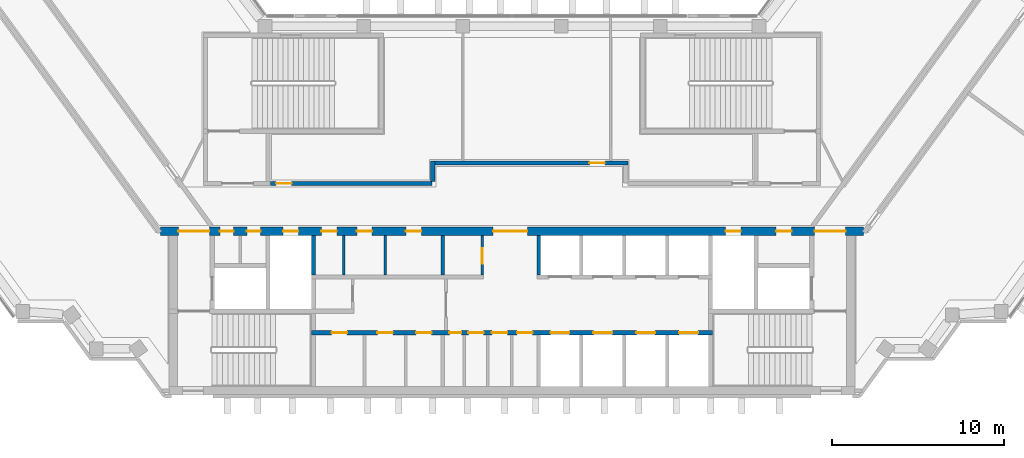
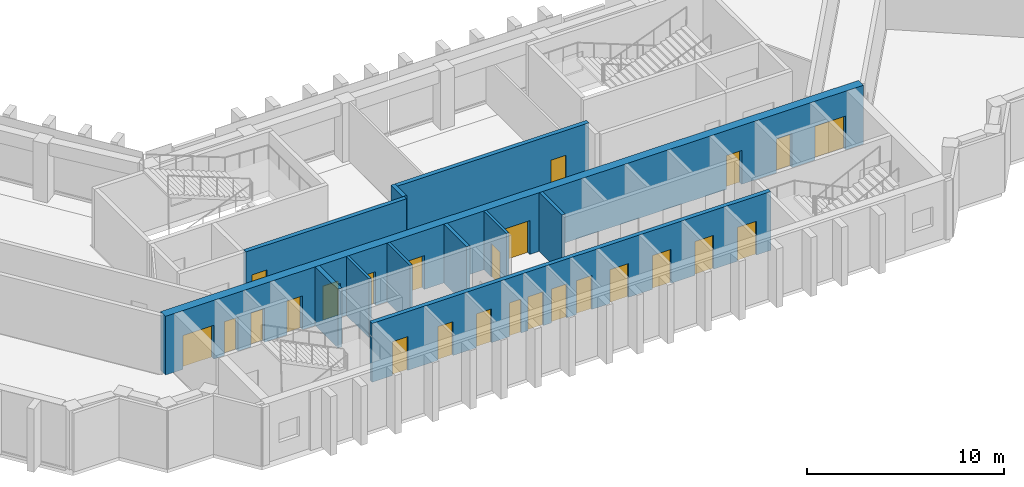
# One storey, part 5 of 9: 25 doors, 11 walls, 25 openings.
"""IFC4 building model written with IfcOpenShell, lengths in metres."""

from ifc_helpers import new_model, si_unit, direction, frame, frame_2d, origin, place, context, subcontext, project, spatial, rectangle, extrude, material, layer, layer_set, type_object, element, fill, save


model = new_model("IFC4")

# Units and contexts
model_context = context("Model", 3, precision=1e-05, world=origin(), true_north=direction((0.0, 1.0)))
body_context = subcontext(model_context, "Body", "Model", "MODEL_VIEW")
ifc_project = project(units=[si_unit("LENGTHUNIT", "METRE"), si_unit("AREAUNIT", "SQUARE_METRE"), si_unit("VOLUMEUNIT", "CUBIC_METRE"), si_unit("PLANEANGLEUNIT", "RADIAN"), si_unit("MASSUNIT", "GRAM", prefix="KILO")], contexts=[model_context])

# Site, building, storey
site_placement = place(None, origin())
site = spatial("IfcSite", under=ifc_project, at=site_placement, CompositionType="ELEMENT")
building_placement = place(site_placement, origin())
building = spatial("IfcBuilding", under=site, at=building_placement, Name="Quipu Civic Tower", CompositionType="ELEMENT")
storey_placement = place(building_placement, frame((0.0, 0.0, 214.0)))
storey = spatial("IfcBuildingStorey", under=building, at=storey_placement, Name="L50", CompositionType="ELEMENT", Elevation=214.0)

# Wall, openings, doors
ifc_material_1 = material(Name="Concrete C70/85", Category="concrete")
ifc_layer_1 = layer(ifc_material_1, 0.25)
ifc_layer_set_1 = layer_set([ifc_layer_1], Name="Concrete C70/85")
wall_type_1 = type_object("IfcWallType", Name="Core wall 250", PredefinedType="SHEAR", material=ifc_layer_set_1)
wall_1_placement = place(storey_placement, frame((11.699951171875, -7.375, 0.0), z_axis=(0.0, 0.0, 1.0), x_axis=(-1.0, 0.0, 0.0)))
wall_1 = element("IfcWall", 1, at=wall_1_placement, inside=storey, type_object=wall_type_1, Name="Core wall", PredefinedType="SHEAR", context=body_context, shape_type="SweptSolid", body=[
    extrude(rectangle(XDim=23.39990234375, YDim=0.25, at=frame_2d((11.699951171875, 0.0))), origin(), (0.0, 0.0, 1.0), 3.64990234375),
])
opening_1_placement = place(wall_1_placement, frame((21.31201171875, 0.0, 0.0)))
opening_1 = element("IfcOpeningElement", 2, at=opening_1_placement, cuts=wall_1, Name="Opening CD-01", PredefinedType="OPENING", context=body_context, shape_type="SweptSolid", body=[
    extrude(rectangle(XDim=0.89990234375, YDim=2.10009765625, at=frame_2d((0.449951171875, 1.050048828125))), frame((0.0, 0.135009765625, 0.0), z_axis=(0.0, -1.0, 0.0), x_axis=(1.0, 0.0, 0.0)), (0.0, 0.0, 1.0), 0.27001953125),
])
opening_2_placement = place(wall_1_placement, frame((18.64990234375, 0.0, 0.0)))
opening_2 = element("IfcOpeningElement", 3, at=opening_2_placement, cuts=wall_1, Name="Opening CD-02", PredefinedType="OPENING", context=body_context, shape_type="SweptSolid", body=[
    extrude(rectangle(XDim=0.89990234375, YDim=2.10009765625, at=frame_2d((0.449951171875, 1.050048828125))), frame((0.0, 0.135009765625, 0.0), z_axis=(0.0, -1.0, 0.0), x_axis=(1.0, 0.0, 0.0)), (0.0, 0.0, 1.0), 0.27001953125),
])
opening_3_placement = place(wall_1_placement, frame((16.387939453125, 0.0, 0.0)))
opening_3 = element("IfcOpeningElement", 4, at=opening_3_placement, cuts=wall_1, Name="Opening CD-03", PredefinedType="OPENING", context=body_context, shape_type="SweptSolid", body=[
    extrude(rectangle(XDim=0.89990234375, YDim=2.10009765625, at=frame_2d((0.449951171875, 1.050048828125))), frame((0.0, 0.135009765625, 0.0), z_axis=(0.0, -1.0, 0.0), x_axis=(1.0, 0.0, 0.0)), (0.0, 0.0, 1.0), 0.27001953125),
])
opening_4_placement = place(wall_1_placement, frame((14.64990234375, 0.0, 0.0)))
opening_4 = element("IfcOpeningElement", 5, at=opening_4_placement, cuts=wall_1, Name="Opening CD-04", PredefinedType="OPENING", context=body_context, shape_type="SweptSolid", body=[
    extrude(rectangle(XDim=0.699951171875, YDim=2.10009765625, at=frame_2d((0.35009765625, 1.050048828125))), frame((0.0, 0.135009765625, 0.0), z_axis=(0.0, -1.0, 0.0), x_axis=(1.0, 0.0, 0.0)), (0.0, 0.0, 1.0), 0.27001953125),
])
opening_5_placement = place(wall_1_placement, frame((13.35009765625, 0.0, 0.0)))
opening_5 = element("IfcOpeningElement", 6, at=opening_5_placement, cuts=wall_1, Name="Opening CD-05", PredefinedType="OPENING", context=body_context, shape_type="SweptSolid", body=[
    extrude(rectangle(XDim=0.89990234375, YDim=2.10009765625, at=frame_2d((0.449951171875, 1.050048828125))), frame((0.0, 0.135009765625, 0.0), z_axis=(0.0, -1.0, 0.0), x_axis=(1.0, 0.0, 0.0)), (0.0, 0.0, 1.0), 0.27001953125),
])
opening_6_placement = place(wall_1_placement, frame((11.97509765625, 0.0, 0.0)))
opening_6 = element("IfcOpeningElement", 7, at=opening_6_placement, cuts=wall_1, Name="Opening CD-06", PredefinedType="OPENING", context=body_context, shape_type="SweptSolid", body=[
    extrude(rectangle(XDim=0.89990234375, YDim=2.10009765625, at=frame_2d((0.449951171875, 1.050048828125))), frame((0.0, 0.135009765625, 0.0), z_axis=(0.0, -1.0, 0.0), x_axis=(1.0, 0.0, 0.0)), (0.0, 0.0, 1.0), 0.27001953125),
])
opening_7_placement = place(wall_1_placement, frame((10.5, 0.0, 0.0)))
opening_7 = element("IfcOpeningElement", 8, at=opening_7_placement, cuts=wall_1, Name="Opening CD-07", PredefinedType="OPENING", context=body_context, shape_type="SweptSolid", body=[
    extrude(rectangle(XDim=0.89990234375, YDim=2.10009765625, at=frame_2d((0.449951171875, 1.050048828125))), frame((0.0, 0.135009765625, 0.0), z_axis=(0.0, -1.0, 0.0), x_axis=(1.0, 0.0, 0.0)), (0.0, 0.0, 1.0), 0.27001953125),
])
opening_8_placement = place(wall_1_placement, frame((8.35009765625, 0.0, 0.0)))
opening_8 = element("IfcOpeningElement", 9, at=opening_8_placement, cuts=wall_1, Name="Opening LD-ML1", PredefinedType="OPENING", context=body_context, shape_type="SweptSolid", body=[
    extrude(rectangle(XDim=1.10009765625, YDim=2.10009765625, at=frame_2d((0.550048828125, 1.050048828125))), frame((0.0, 0.135009765625, 0.0), z_axis=(0.0, -1.0, 0.0), x_axis=(1.0, 0.0, 0.0)), (0.0, 0.0, 1.0), 0.27001953125),
])
opening_9_placement = place(wall_1_placement, frame((5.85009765625, 0.0, 0.0)))
opening_9 = element("IfcOpeningElement", 10, at=opening_9_placement, cuts=wall_1, Name="Opening LD-ML2", PredefinedType="OPENING", context=body_context, shape_type="SweptSolid", body=[
    extrude(rectangle(XDim=1.10009765625, YDim=2.10009765625, at=frame_2d((0.550048828125, 1.050048828125))), frame((0.0, 0.135009765625, 0.0), z_axis=(0.0, -1.0, 0.0), x_axis=(1.0, 0.0, 0.0)), (0.0, 0.0, 1.0), 0.27001953125),
])
opening_10_placement = place(wall_1_placement, frame((3.35009765625, 0.0, 0.0)))
opening_10 = element("IfcOpeningElement", 11, at=opening_10_placement, cuts=wall_1, Name="Opening LD-ML3", PredefinedType="OPENING", context=body_context, shape_type="SweptSolid", body=[
    extrude(rectangle(XDim=1.10009765625, YDim=2.10009765625, at=frame_2d((0.550048828125, 1.050048828125))), frame((0.0, 0.135009765625, 0.0), z_axis=(0.0, -1.0, 0.0), x_axis=(1.0, 0.0, 0.0)), (0.0, 0.0, 1.0), 0.27001953125),
])
opening_11_placement = place(wall_1_placement, frame((0.85009765625, 0.0, 0.0)))
opening_11 = element("IfcOpeningElement", 12, at=opening_11_placement, cuts=wall_1, Name="Opening LD-ML4", PredefinedType="OPENING", context=body_context, shape_type="SweptSolid", body=[
    extrude(rectangle(XDim=1.10009765625, YDim=2.10009765625, at=frame_2d((0.550048828125, 1.050048828125))), frame((0.0, 0.135009765625, 0.0), z_axis=(0.0, -1.0, 0.0), x_axis=(1.0, 0.0, 0.0)), (0.0, 0.0, 1.0), 0.27001953125),
])
ifc_material_2 = material(Name="Fire rated steel door", Category="steel")
door_type_1 = type_object("IfcDoorType", Name="Fire door FD60 700 x 2100", OperationType="NOTDEFINED", PredefinedType="DOOR", material=ifc_material_2)
door_1_placement = place(opening_4_placement, origin())
door_1 = element("IfcDoor", 13, at=door_1_placement, inside=storey, type_object=door_type_1, Name="Door", OperationType="SINGLE_SWING_RIGHT", OverallHeight=2.10009765625, OverallWidth=0.699951171875, PredefinedType="DOOR", context=body_context, shape_type="SweptSolid", body=[
    extrude(rectangle(XDim=0.699951171875, YDim=2.10009765625, at=frame_2d((0.35009765625, 1.050048828125))), frame((0.0, 0.02490234375, 0.0), z_axis=(0.0, -1.0, 0.0), x_axis=(1.0, 0.0, 0.0)), (0.0, 0.0, 1.0), 0.050048828125),
])
fill(opening_4, door_1)
ifc_material_3 = material(Name="Fire rated steel door", Category="steel")
door_type_2 = type_object("IfcDoorType", Name="Fire door FD60 900 x 2100", OperationType="NOTDEFINED", PredefinedType="DOOR", material=ifc_material_3)
door_2_placement = place(opening_1_placement, origin())
door_2 = element("IfcDoor", 14, at=door_2_placement, inside=storey, type_object=door_type_2, Name="Door", OperationType="SINGLE_SWING_RIGHT", OverallHeight=2.10009765625, OverallWidth=0.89990234375, PredefinedType="DOOR", context=body_context, shape_type="SweptSolid", body=[
    extrude(rectangle(XDim=0.89990234375, YDim=2.10009765625, at=frame_2d((0.449951171875, 1.050048828125))), frame((0.0, 0.02490234375, 0.0), z_axis=(0.0, -1.0, 0.0), x_axis=(1.0, 0.0, 0.0)), (0.0, 0.0, 1.0), 0.050048828125),
])
fill(opening_1, door_2)
door_3_placement = place(opening_2_placement, origin())
door_3 = element("IfcDoor", 15, at=door_3_placement, inside=storey, type_object=door_type_2, Name="Door", OperationType="SINGLE_SWING_RIGHT", OverallHeight=2.10009765625, OverallWidth=0.89990234375, PredefinedType="DOOR", context=body_context, shape_type="SweptSolid", body=[
    extrude(rectangle(XDim=0.89990234375, YDim=2.10009765625, at=frame_2d((0.449951171875, 1.050048828125))), frame((0.0, 0.02490234375, 0.0), z_axis=(0.0, -1.0, 0.0), x_axis=(1.0, 0.0, 0.0)), (0.0, 0.0, 1.0), 0.050048828125),
])
fill(opening_2, door_3)
door_4_placement = place(opening_3_placement, origin())
door_4 = element("IfcDoor", 16, at=door_4_placement, inside=storey, type_object=door_type_2, Name="Door", OperationType="SINGLE_SWING_RIGHT", OverallHeight=2.10009765625, OverallWidth=0.89990234375, PredefinedType="DOOR", context=body_context, shape_type="SweptSolid", body=[
    extrude(rectangle(XDim=0.89990234375, YDim=2.10009765625, at=frame_2d((0.449951171875, 1.050048828125))), frame((0.0, 0.02490234375, 0.0), z_axis=(0.0, -1.0, 0.0), x_axis=(1.0, 0.0, 0.0)), (0.0, 0.0, 1.0), 0.050048828125),
])
fill(opening_3, door_4)
door_5_placement = place(opening_5_placement, origin())
door_5 = element("IfcDoor", 17, at=door_5_placement, inside=storey, type_object=door_type_2, Name="WC door", OperationType="SINGLE_SWING_RIGHT", OverallHeight=2.10009765625, OverallWidth=0.89990234375, PredefinedType="DOOR", context=body_context, shape_type="SweptSolid", body=[
    extrude(rectangle(XDim=0.89990234375, YDim=2.10009765625, at=frame_2d((0.449951171875, 1.050048828125))), frame((0.0, 0.02490234375, 0.0), z_axis=(0.0, -1.0, 0.0), x_axis=(1.0, 0.0, 0.0)), (0.0, 0.0, 1.0), 0.050048828125),
])
fill(opening_5, door_5)
door_6_placement = place(opening_6_placement, origin())
door_6 = element("IfcDoor", 18, at=door_6_placement, inside=storey, type_object=door_type_2, Name="WC door", OperationType="SINGLE_SWING_RIGHT", OverallHeight=2.10009765625, OverallWidth=0.89990234375, PredefinedType="DOOR", context=body_context, shape_type="SweptSolid", body=[
    extrude(rectangle(XDim=0.89990234375, YDim=2.10009765625, at=frame_2d((0.449951171875, 1.050048828125))), frame((0.0, 0.02490234375, 0.0), z_axis=(0.0, -1.0, 0.0), x_axis=(1.0, 0.0, 0.0)), (0.0, 0.0, 1.0), 0.050048828125),
])
fill(opening_6, door_6)
door_7_placement = place(opening_7_placement, origin())
door_7 = element("IfcDoor", 19, at=door_7_placement, inside=storey, type_object=door_type_2, Name="WC door", OperationType="SINGLE_SWING_LEFT", OverallHeight=2.10009765625, OverallWidth=0.89990234375, PredefinedType="DOOR", context=body_context, shape_type="SweptSolid", body=[
    extrude(rectangle(XDim=0.89990234375, YDim=2.10009765625, at=frame_2d((0.449951171875, 1.050048828125))), frame((0.0, 0.02490234375, 0.0), z_axis=(0.0, -1.0, 0.0), x_axis=(1.0, 0.0, 0.0)), (0.0, 0.0, 1.0), 0.050048828125),
])
fill(opening_7, door_7)
ifc_material_4 = material(Name="Stainless steel", Category="steel")
door_type_3 = type_object("IfcDoorType", Name="Lift landing door 1100 x 2100", OperationType="DOUBLE_DOOR_SLIDING", PredefinedType="DOOR", material=ifc_material_4)
door_8_placement = place(opening_8_placement, origin())
door_8 = element("IfcDoor", 20, at=door_8_placement, inside=storey, type_object=door_type_3, Name="Landing door ML1", OperationType="DOUBLE_DOOR_SLIDING", OverallHeight=2.10009765625, OverallWidth=1.10009765625, PredefinedType="DOOR", context=body_context, shape_type="SweptSolid", body=[
    extrude(rectangle(XDim=1.10009765625, YDim=2.10009765625, at=frame_2d((0.550048828125, 1.050048828125))), frame((0.0, 0.02490234375, 0.0), z_axis=(0.0, -1.0, 0.0), x_axis=(1.0, 0.0, 0.0)), (0.0, 0.0, 1.0), 0.050048828125),
])
fill(opening_8, door_8)
door_9_placement = place(opening_9_placement, origin())
door_9 = element("IfcDoor", 21, at=door_9_placement, inside=storey, type_object=door_type_3, Name="Landing door ML2", OperationType="DOUBLE_DOOR_SLIDING", OverallHeight=2.10009765625, OverallWidth=1.10009765625, PredefinedType="DOOR", context=body_context, shape_type="SweptSolid", body=[
    extrude(rectangle(XDim=1.10009765625, YDim=2.10009765625, at=frame_2d((0.550048828125, 1.050048828125))), frame((0.0, 0.02490234375, 0.0), z_axis=(0.0, -1.0, 0.0), x_axis=(1.0, 0.0, 0.0)), (0.0, 0.0, 1.0), 0.050048828125),
])
fill(opening_9, door_9)
door_10_placement = place(opening_10_placement, origin())
door_10 = element("IfcDoor", 22, at=door_10_placement, inside=storey, type_object=door_type_3, Name="Landing door ML3", OperationType="DOUBLE_DOOR_SLIDING", OverallHeight=2.10009765625, OverallWidth=1.10009765625, PredefinedType="DOOR", context=body_context, shape_type="SweptSolid", body=[
    extrude(rectangle(XDim=1.10009765625, YDim=2.10009765625, at=frame_2d((0.550048828125, 1.050048828125))), frame((0.0, 0.02490234375, 0.0), z_axis=(0.0, -1.0, 0.0), x_axis=(1.0, 0.0, 0.0)), (0.0, 0.0, 1.0), 0.050048828125),
])
fill(opening_10, door_10)
door_11_placement = place(opening_11_placement, origin())
door_11 = element("IfcDoor", 23, at=door_11_placement, inside=storey, type_object=door_type_3, Name="Landing door ML4", OperationType="DOUBLE_DOOR_SLIDING", OverallHeight=2.10009765625, OverallWidth=1.10009765625, PredefinedType="DOOR", context=body_context, shape_type="SweptSolid", body=[
    extrude(rectangle(XDim=1.10009765625, YDim=2.10009765625, at=frame_2d((0.550048828125, 1.050048828125))), frame((0.0, 0.02490234375, 0.0), z_axis=(0.0, -1.0, 0.0), x_axis=(1.0, 0.0, 0.0)), (0.0, 0.0, 1.0), 0.050048828125),
])
fill(opening_11, door_11)

# Wall
wall_2_placement = place(storey_placement, frame((-11.574951171875, -4.0, 0.0), z_axis=(0.0, 0.0, 1.0), x_axis=(0.0, 1.0, 0.0)))
element("IfcWall", 24, at=wall_2_placement, inside=storey, type_object=wall_type_1, Name="Core wall", PredefinedType="SHEAR", context=body_context, shape_type="SweptSolid", body=[
    extrude(rectangle(XDim=2.300048828125, YDim=0.25, at=frame_2d((1.14990234375, 0.0))), origin(), (0.0, 0.0, 1.0), 3.64990234375),
])

# Wall, openings, doors
ifc_material_5 = material(Name="Concrete C70/85", Category="concrete")
ifc_layer_2 = layer(ifc_material_5, 0.5)
ifc_layer_set_2 = layer_set([ifc_layer_2], Name="Concrete C70/85")
wall_type_2 = type_object("IfcWallType", Name="Core wall 500", PredefinedType="SHEAR", material=ifc_layer_set_2)
wall_3_placement = place(storey_placement, frame((20.489990234375, -1.449951171875, 0.0), z_axis=(0.0, 0.0, 1.0), x_axis=(-1.0, 0.0, 0.0)))
wall_3 = element("IfcWall", 25, at=wall_3_placement, inside=storey, type_object=wall_type_2, Name="Core wall", PredefinedType="SHEAR", context=body_context, shape_type="SweptSolid", body=[
    extrude(rectangle(XDim=40.97998046875, YDim=0.5, at=frame_2d((20.489990234375, 0.0))), origin(), (0.0, 0.0, 1.0), 3.64990234375),
])
opening_12_placement = place(wall_3_placement, frame((38.139892578125, 0.0, 0.0)))
opening_12 = element("IfcOpeningElement", 26, at=opening_12_placement, cuts=wall_3, Name="Opening CD-13", PredefinedType="OPENING", context=body_context, shape_type="SweptSolid", body=[
    extrude(rectangle(XDim=1.800048828125, YDim=2.10009765625, at=frame_2d((0.89990234375, 1.050048828125))), frame((0.0, 0.260009765625, 0.0), z_axis=(0.0, -1.0, 0.0), x_axis=(1.0, 0.0, 0.0)), (0.0, 0.0, 1.0), 0.52001953125),
])
opening_13_placement = place(wall_3_placement, frame((36.7275390625, 0.0, 0.0)))
opening_13 = element("IfcOpeningElement", 27, at=opening_13_placement, cuts=wall_3, Name="Opening CD-14", PredefinedType="OPENING", context=body_context, shape_type="SweptSolid", body=[
    extrude(rectangle(XDim=0.800048828125, YDim=2.10009765625, at=frame_2d((0.39990234375, 1.050048828125))), frame((0.0, 0.260009765625, 0.0), z_axis=(0.0, -1.0, 0.0), x_axis=(1.0, 0.0, 0.0)), (0.0, 0.0, 1.0), 0.52001953125),
])
opening_14_placement = place(wall_3_placement, frame((35.152587890625, 0.0, 0.0)))
opening_14 = element("IfcOpeningElement", 28, at=opening_14_placement, cuts=wall_3, Name="Opening CD-15", PredefinedType="OPENING", context=body_context, shape_type="SweptSolid", body=[
    extrude(rectangle(XDim=0.800048828125, YDim=2.10009765625, at=frame_2d((0.39990234375, 1.050048828125))), frame((0.0, 0.260009765625, 0.0), z_axis=(0.0, -1.0, 0.0), x_axis=(1.0, 0.0, 0.0)), (0.0, 0.0, 1.0), 0.52001953125),
])
opening_15_placement = place(wall_3_placement, frame((32.93994140625, 0.0, 0.0)))
opening_15 = element("IfcOpeningElement", 29, at=opening_15_placement, cuts=wall_3, Name="Opening CD-16", PredefinedType="OPENING", context=body_context, shape_type="SweptSolid", body=[
    extrude(rectangle(XDim=0.89990234375, YDim=2.10009765625, at=frame_2d((0.449951171875, 1.050048828125))), frame((0.0, 0.260009765625, 0.0), z_axis=(0.0, -1.0, 0.0), x_axis=(1.0, 0.0, 0.0)), (0.0, 0.0, 1.0), 0.52001953125),
])
opening_16_placement = place(wall_3_placement, frame((30.702392578125, 0.0, 0.0)))
opening_16 = element("IfcOpeningElement", 30, at=opening_16_placement, cuts=wall_3, Name="Opening CD-17", PredefinedType="OPENING", context=body_context, shape_type="SweptSolid", body=[
    extrude(rectangle(XDim=0.89990234375, YDim=2.10009765625, at=frame_2d((0.449951171875, 1.050048828125))), frame((0.0, 0.260009765625, 0.0), z_axis=(0.0, -1.0, 0.0), x_axis=(1.0, 0.0, 0.0)), (0.0, 0.0, 1.0), 0.52001953125),
])
opening_17_placement = place(wall_3_placement, frame((28.639892578125, 0.0, 0.0)))
opening_17 = element("IfcOpeningElement", 31, at=opening_17_placement, cuts=wall_3, Name="Opening CD-18", PredefinedType="OPENING", context=body_context, shape_type="SweptSolid", body=[
    extrude(rectangle(XDim=0.89990234375, YDim=2.10009765625, at=frame_2d((0.449951171875, 1.050048828125))), frame((0.0, 0.260009765625, 0.0), z_axis=(0.0, -1.0, 0.0), x_axis=(1.0, 0.0, 0.0)), (0.0, 0.0, 1.0), 0.52001953125),
])
opening_18_placement = place(wall_3_placement, frame((25.777587890625, 0.0, 0.0)))
opening_18 = element("IfcOpeningElement", 32, at=opening_18_placement, cuts=wall_3, Name="Opening CD-19", PredefinedType="OPENING", context=body_context, shape_type="SweptSolid", body=[
    extrude(rectangle(XDim=0.89990234375, YDim=2.10009765625, at=frame_2d((0.449951171875, 1.050048828125))), frame((0.0, 0.260009765625, 0.0), z_axis=(0.0, -1.0, 0.0), x_axis=(1.0, 0.0, 0.0)), (0.0, 0.0, 1.0), 0.52001953125),
])
opening_19_placement = place(wall_3_placement, frame((19.590087890625, 0.0, 0.0)))
opening_19 = element("IfcOpeningElement", 33, at=opening_19_placement, cuts=wall_3, Name="Opening CD-20", PredefinedType="OPENING", context=body_context, shape_type="SweptSolid", body=[
    extrude(rectangle(XDim=2.0, YDim=2.10009765625, at=frame_2d((1.0, 1.050048828125))), frame((0.0, 0.260009765625, 0.0), z_axis=(0.0, -1.0, 0.0), x_axis=(1.0, 0.0, 0.0)), (0.0, 0.0, 1.0), 0.52001953125),
])
opening_20_placement = place(wall_3_placement, frame((7.139892578125, 0.0, 0.0)))
opening_20 = element("IfcOpeningElement", 34, at=opening_20_placement, cuts=wall_3, Name="Opening CD-21", PredefinedType="OPENING", context=body_context, shape_type="SweptSolid", body=[
    extrude(rectangle(XDim=0.89990234375, YDim=2.10009765625, at=frame_2d((0.449951171875, 1.050048828125))), frame((0.0, 0.260009765625, 0.0), z_axis=(0.0, -1.0, 0.0), x_axis=(1.0, 0.0, 0.0)), (0.0, 0.0, 1.0), 0.52001953125),
])
opening_21_placement = place(wall_3_placement, frame((4.18994140625, 0.0, 0.0)))
opening_21 = element("IfcOpeningElement", 35, at=opening_21_placement, cuts=wall_3, Name="Opening CD-22", PredefinedType="OPENING", context=body_context, shape_type="SweptSolid", body=[
    extrude(rectangle(XDim=0.89990234375, YDim=2.10009765625, at=frame_2d((0.449951171875, 1.050048828125))), frame((0.0, 0.260009765625, 0.0), z_axis=(0.0, -1.0, 0.0), x_axis=(1.0, 0.0, 0.0)), (0.0, 0.0, 1.0), 0.52001953125),
])
opening_22_placement = place(wall_3_placement, frame((1.0400390625, 0.0, 0.0)))
opening_22 = element("IfcOpeningElement", 36, at=opening_22_placement, cuts=wall_3, Name="Opening CD-23", PredefinedType="OPENING", context=body_context, shape_type="SweptSolid", body=[
    extrude(rectangle(XDim=1.800048828125, YDim=2.10009765625, at=frame_2d((0.89990234375, 1.050048828125))), frame((0.0, 0.260009765625, 0.0), z_axis=(0.0, -1.0, 0.0), x_axis=(1.0, 0.0, 0.0)), (0.0, 0.0, 1.0), 0.52001953125),
])
ifc_material_6 = material(Name="Fire rated steel door", Category="steel")
door_type_4 = type_object("IfcDoorType", Name="Fire door FD60 800 x 2100", OperationType="NOTDEFINED", PredefinedType="DOOR", material=ifc_material_6)
door_12_placement = place(opening_13_placement, origin())
door_12 = element("IfcDoor", 37, at=door_12_placement, inside=storey, type_object=door_type_4, Name="Door", OperationType="SINGLE_SWING_RIGHT", OverallHeight=2.10009765625, OverallWidth=0.800048828125, PredefinedType="DOOR", context=body_context, shape_type="SweptSolid", body=[
    extrude(rectangle(XDim=0.800048828125, YDim=2.10009765625, at=frame_2d((0.39990234375, 1.050048828125))), frame((0.0, 0.02490234375, 0.0), z_axis=(0.0, -1.0, 0.0), x_axis=(1.0, 0.0, 0.0)), (0.0, 0.0, 1.0), 0.050048828125),
])
fill(opening_13, door_12)
door_13_placement = place(opening_14_placement, origin())
door_13 = element("IfcDoor", 38, at=door_13_placement, inside=storey, type_object=door_type_4, Name="Door", OperationType="SINGLE_SWING_RIGHT", OverallHeight=2.10009765625, OverallWidth=0.800048828125, PredefinedType="DOOR", context=body_context, shape_type="SweptSolid", body=[
    extrude(rectangle(XDim=0.800048828125, YDim=2.10009765625, at=frame_2d((0.39990234375, 1.050048828125))), frame((0.0, 0.02490234375, 0.0), z_axis=(0.0, -1.0, 0.0), x_axis=(1.0, 0.0, 0.0)), (0.0, 0.0, 1.0), 0.050048828125),
])
fill(opening_14, door_13)
door_14_placement = place(opening_15_placement, origin())
door_14 = element("IfcDoor", 39, at=door_14_placement, inside=storey, type_object=door_type_2, Name="Riser door", OperationType="SINGLE_SWING_RIGHT", OverallHeight=2.10009765625, OverallWidth=0.89990234375, PredefinedType="DOOR", context=body_context, shape_type="SweptSolid", body=[
    extrude(rectangle(XDim=0.89990234375, YDim=2.10009765625, at=frame_2d((0.449951171875, 1.050048828125))), frame((0.0, 0.02490234375, 0.0), z_axis=(0.0, -1.0, 0.0), x_axis=(1.0, 0.0, 0.0)), (0.0, 0.0, 1.0), 0.050048828125),
])
fill(opening_15, door_14)
door_15_placement = place(opening_16_placement, origin())
door_15 = element("IfcDoor", 40, at=door_15_placement, inside=storey, type_object=door_type_2, Name="Door", OperationType="SINGLE_SWING_RIGHT", OverallHeight=2.10009765625, OverallWidth=0.89990234375, PredefinedType="DOOR", context=body_context, shape_type="SweptSolid", body=[
    extrude(rectangle(XDim=0.89990234375, YDim=2.10009765625, at=frame_2d((0.449951171875, 1.050048828125))), frame((0.0, 0.02490234375, 0.0), z_axis=(0.0, -1.0, 0.0), x_axis=(1.0, 0.0, 0.0)), (0.0, 0.0, 1.0), 0.050048828125),
])
fill(opening_16, door_15)
door_16_placement = place(opening_17_placement, origin())
door_16 = element("IfcDoor", 41, at=door_16_placement, inside=storey, type_object=door_type_2, Name="Door", OperationType="SINGLE_SWING_RIGHT", OverallHeight=2.10009765625, OverallWidth=0.89990234375, PredefinedType="DOOR", context=body_context, shape_type="SweptSolid", body=[
    extrude(rectangle(XDim=0.89990234375, YDim=2.10009765625, at=frame_2d((0.449951171875, 1.050048828125))), frame((0.0, 0.02490234375, 0.0), z_axis=(0.0, -1.0, 0.0), x_axis=(1.0, 0.0, 0.0)), (0.0, 0.0, 1.0), 0.050048828125),
])
fill(opening_17, door_16)
door_17_placement = place(opening_18_placement, origin())
door_17 = element("IfcDoor", 42, at=door_17_placement, inside=storey, type_object=door_type_2, Name="Door", OperationType="SINGLE_SWING_RIGHT", OverallHeight=2.10009765625, OverallWidth=0.89990234375, PredefinedType="DOOR", context=body_context, shape_type="SweptSolid", body=[
    extrude(rectangle(XDim=0.89990234375, YDim=2.10009765625, at=frame_2d((0.449951171875, 1.050048828125))), frame((0.0, 0.02490234375, 0.0), z_axis=(0.0, -1.0, 0.0), x_axis=(1.0, 0.0, 0.0)), (0.0, 0.0, 1.0), 0.050048828125),
])
fill(opening_18, door_17)
door_18_placement = place(opening_20_placement, origin())
door_18 = element("IfcDoor", 43, at=door_18_placement, inside=storey, type_object=door_type_2, Name="Riser door", OperationType="SINGLE_SWING_LEFT", OverallHeight=2.10009765625, OverallWidth=0.89990234375, PredefinedType="DOOR", context=body_context, shape_type="SweptSolid", body=[
    extrude(rectangle(XDim=0.89990234375, YDim=2.10009765625, at=frame_2d((0.449951171875, 1.050048828125))), frame((0.0, 0.02490234375, 0.0), z_axis=(0.0, -1.0, 0.0), x_axis=(1.0, 0.0, 0.0)), (0.0, 0.0, 1.0), 0.050048828125),
])
fill(opening_20, door_18)
door_19_placement = place(opening_21_placement, origin())
door_19 = element("IfcDoor", 44, at=door_19_placement, inside=storey, type_object=door_type_2, Name="Door", OperationType="SINGLE_SWING_LEFT", OverallHeight=2.10009765625, OverallWidth=0.89990234375, PredefinedType="DOOR", context=body_context, shape_type="SweptSolid", body=[
    extrude(rectangle(XDim=0.89990234375, YDim=2.10009765625, at=frame_2d((0.449951171875, 1.050048828125))), frame((0.0, 0.02490234375, 0.0), z_axis=(0.0, -1.0, 0.0), x_axis=(1.0, 0.0, 0.0)), (0.0, 0.0, 1.0), 0.050048828125),
])
fill(opening_21, door_19)
ifc_material_7 = material(Name="Fire rated steel door", Category="steel")
door_type_5 = type_object("IfcDoorType", Name="Fire door FD90 double 1800 x 2100", OperationType="NOTDEFINED", PredefinedType="DOOR", material=ifc_material_7)
door_20_placement = place(opening_12_placement, origin())
door_20 = element("IfcDoor", 45, at=door_20_placement, inside=storey, type_object=door_type_5, Name="Lobby door", OperationType="DOUBLE_DOOR_SINGLE_SWING", OverallHeight=2.10009765625, OverallWidth=1.800048828125, PredefinedType="DOOR", context=body_context, shape_type="SweptSolid", body=[
    extrude(rectangle(XDim=1.800048828125, YDim=2.10009765625, at=frame_2d((0.89990234375, 1.050048828125))), frame((0.0, 0.02490234375, 0.0), z_axis=(0.0, -1.0, 0.0), x_axis=(1.0, 0.0, 0.0)), (0.0, 0.0, 1.0), 0.050048828125),
])
fill(opening_12, door_20)
door_21_placement = place(opening_22_placement, origin())
door_21 = element("IfcDoor", 46, at=door_21_placement, inside=storey, type_object=door_type_5, Name="Lobby door", OperationType="DOUBLE_DOOR_SINGLE_SWING", OverallHeight=2.10009765625, OverallWidth=1.800048828125, PredefinedType="DOOR", context=body_context, shape_type="SweptSolid", body=[
    extrude(rectangle(XDim=1.800048828125, YDim=2.10009765625, at=frame_2d((0.89990234375, 1.050048828125))), frame((0.0, 0.02490234375, 0.0), z_axis=(0.0, -1.0, 0.0), x_axis=(1.0, 0.0, 0.0)), (0.0, 0.0, 1.0), 0.050048828125),
])
fill(opening_22, door_21)
ifc_material_8 = material(Name="Fire rated steel door", Category="steel")
door_type_6 = type_object("IfcDoorType", Name="Fire door FD90 double 2000 x 2100", OperationType="NOTDEFINED", PredefinedType="DOOR", material=ifc_material_8)
door_22_placement = place(opening_19_placement, origin())
door_22 = element("IfcDoor", 47, at=door_22_placement, inside=storey, type_object=door_type_6, Name="Lobby door", OperationType="DOUBLE_DOOR_SINGLE_SWING", OverallHeight=2.10009765625, OverallWidth=2.0, PredefinedType="DOOR", context=body_context, shape_type="SweptSolid", body=[
    extrude(rectangle(XDim=2.0, YDim=2.10009765625, at=frame_2d((1.0, 1.050048828125))), frame((0.0, 0.02490234375, 0.0), z_axis=(0.0, -1.0, 0.0), x_axis=(1.0, 0.0, 0.0)), (0.0, 0.0, 1.0), 0.050048828125),
])
fill(opening_19, door_22)

# Wall, opening, door
ifc_material_9 = material(Name="Concrete C50/60", Category="concrete")
ifc_layer_3 = layer(ifc_material_9, 0.25)
ifc_layer_set_3 = layer_set([ifc_layer_3], Name="Concrete C50/60")
wall_type_3 = type_object("IfcWallType", Name="Corridor wall 250 concrete", PredefinedType="SOLIDWALL", material=ifc_layer_set_3)
wall_4_placement = place(storey_placement, frame((-14.090087890625, 1.324951171875, 0.0), z_axis=(0.0, 0.0, 1.0), x_axis=(1.0, 0.0, 0.0)))
wall_4 = element("IfcWall", 48, at=wall_4_placement, inside=storey, type_object=wall_type_3, Name="Corridor wall C07", PredefinedType="SOLIDWALL", context=body_context, shape_type="SweptSolid", body=[
    extrude(rectangle(XDim=9.431396484375, YDim=0.25, at=frame_2d((4.7158203125, 0.0))), origin(), (0.0, 0.0, 1.0), 3.64990234375),
])
opening_23_placement = place(wall_4_placement, frame((0.340087890625, 0.0, 0.0)))
opening_23 = element("IfcOpeningElement", 49, at=opening_23_placement, cuts=wall_4, Name="Opening D005", PredefinedType="OPENING", context=body_context, shape_type="SweptSolid", body=[
    extrude(rectangle(XDim=0.89990234375, YDim=2.10009765625, at=frame_2d((0.449951171875, 1.050048828125))), frame((0.0, 0.135009765625, 0.0), z_axis=(0.0, -1.0, 0.0), x_axis=(1.0, 0.0, 0.0)), (0.0, 0.0, 1.0), 0.27001953125),
])
ifc_material_10 = material(Name="Fire rated timber door set with metal frame", Category="wood")
door_type_7 = type_object("IfcDoorType", Name="Single door 900 x 2100 FD60", OperationType="NOTDEFINED", PredefinedType="DOOR", material=ifc_material_10)
door_23_placement = place(opening_23_placement, origin())
door_23 = element("IfcDoor", 50, at=door_23_placement, inside=storey, type_object=door_type_7, Name="Door D005", OperationType="SINGLE_SWING_LEFT", OverallHeight=2.10009765625, OverallWidth=0.89990234375, PredefinedType="DOOR", context=body_context, shape_type="SweptSolid", body=[
    extrude(rectangle(XDim=0.89990234375, YDim=2.10009765625, at=frame_2d((0.449951171875, 1.050048828125))), frame((0.0, 0.02490234375, 0.0), z_axis=(0.0, -1.0, 0.0), x_axis=(1.0, 0.0, 0.0)), (0.0, 0.0, 1.0), 0.050048828125),
])
fill(opening_23, door_23)

# Wall
wall_5_placement = place(storey_placement, frame((-4.625, 1.45361328125, 0.0), z_axis=(0.0, 0.0, 1.0), x_axis=(0.0, 1.0, 0.0)))
element("IfcWall", 51, at=wall_5_placement, inside=storey, type_object=wall_type_3, Name="Corridor wall C08", PredefinedType="SOLIDWALL", context=body_context, shape_type="SweptSolid", body=[
    extrude(rectangle(XDim=1.1962890625, YDim=0.25, at=frame_2d((0.59814453125, 0.0))), origin(), (0.0, 0.0, 1.0), 3.64990234375),
])

# Wall, opening, door
wall_6_placement = place(storey_placement, frame((-4.5, 2.52490234375, 0.0), z_axis=(0.0, 0.0, 1.0), x_axis=(1.0, 0.0, 0.0)))
wall_6 = element("IfcWall", 52, at=wall_6_placement, inside=storey, type_object=wall_type_3, Name="Corridor wall C09", PredefinedType="SOLIDWALL", context=body_context, shape_type="SweptSolid", body=[
    extrude(rectangle(XDim=11.25, YDim=0.25, at=frame_2d((5.625, 0.0))), origin(), (0.0, 0.0, 1.0), 3.64990234375),
])
opening_24_placement = place(wall_6_placement, frame((9.008056640625, 0.0, 0.0)))
opening_24 = element("IfcOpeningElement", 53, at=opening_24_placement, cuts=wall_6, Name="Opening D006", PredefinedType="OPENING", context=body_context, shape_type="SweptSolid", body=[
    extrude(rectangle(XDim=0.89990234375, YDim=2.10009765625, at=frame_2d((0.449951171875, 1.050048828125))), frame((0.0, 0.135009765625, 0.0), z_axis=(0.0, -1.0, 0.0), x_axis=(1.0, 0.0, 0.0)), (0.0, 0.0, 1.0), 0.27001953125),
])
door_24_placement = place(opening_24_placement, origin())
door_24 = element("IfcDoor", 54, at=door_24_placement, inside=storey, type_object=door_type_7, Name="Door D006", OperationType="SINGLE_SWING_RIGHT", OverallHeight=2.10009765625, OverallWidth=0.89990234375, PredefinedType="DOOR", context=body_context, shape_type="SweptSolid", body=[
    extrude(rectangle(XDim=0.89990234375, YDim=2.10009765625, at=frame_2d((0.449951171875, 1.050048828125))), frame((0.0, 0.02490234375, 0.0), z_axis=(0.0, -1.0, 0.0), x_axis=(1.0, 0.0, 0.0)), (0.0, 0.0, 1.0), 0.050048828125),
])
fill(opening_24, door_24)

# Walls
ifc_material_11 = material(Name="Gypsum board partition")
ifc_layer_4 = layer(ifc_material_11, 0.14990234375)
ifc_layer_set_4 = layer_set([ifc_layer_4], Name="Gypsum board partition")
wall_type_4 = type_object("IfcWallType", Name="Partition 150", PredefinedType="PARTITIONING", material=ifc_layer_set_4)
for number, where, z_axis, x_axis, name in (
    (55, (-9.800048828125, -4.0, 0.0), (0.0, 0.0, 1.0), (0.0, 1.0, 0.0), "Partition"),
    (56, (-7.39990234375, -4.0, 0.0), (0.0, 0.0, 1.0), (0.0, 1.0, 0.0), "Partition"),
):
    element("IfcWall", number, at=place(storey_placement, frame(where, z_axis=z_axis, x_axis=x_axis)), inside=storey, type_object=wall_type_4, Name=name, PredefinedType="PARTITIONING", context=body_context, shape_type="SweptSolid", body=[
        extrude(rectangle(XDim=2.300048828125, YDim=0.14990234375, at=frame_2d((1.14990234375, 0.0))), origin(), (0.0, 0.0, 1.0), 3.64990234375),
    ])

# Wall, opening, door
wall_7_placement = place(storey_placement, frame((-1.72509765625, -1.699951171875, 0.0), z_axis=(0.0, 0.0, 1.0), x_axis=(0.0, -1.0, 0.0)))
wall_7 = element("IfcWall", 57, at=wall_7_placement, inside=storey, type_object=wall_type_4, Name="Partition", PredefinedType="PARTITIONING", context=body_context, shape_type="SweptSolid", body=[
    extrude(rectangle(XDim=2.300048828125, YDim=0.14990234375, at=frame_2d((1.14990234375, 0.0))), origin(), (0.0, 0.0, 1.0), 3.64990234375),
])
opening_25_placement = place(wall_7_placement, frame((0.75, 0.0, 0.0)))
opening_25 = element("IfcOpeningElement", 58, at=opening_25_placement, cuts=wall_7, Name="Opening CD-12", PredefinedType="OPENING", context=body_context, shape_type="SweptSolid", body=[
    extrude(rectangle(XDim=0.89990234375, YDim=2.10009765625, at=frame_2d((0.449951171875, 1.050048828125))), frame((0.0, 0.0849609375, 0.0), z_axis=(0.0, -1.0, 0.0), x_axis=(1.0, 0.0, 0.0)), (0.0, 0.0, 1.0), 0.169921875),
])
door_25_placement = place(opening_25_placement, origin())
door_25 = element("IfcDoor", 59, at=door_25_placement, inside=storey, type_object=door_type_2, Name="WC door", OperationType="SINGLE_SWING_RIGHT", OverallHeight=2.10009765625, OverallWidth=0.89990234375, PredefinedType="DOOR", context=body_context, shape_type="SweptSolid", body=[
    extrude(rectangle(XDim=0.89990234375, YDim=2.10009765625, at=frame_2d((0.449951171875, 1.050048828125))), frame((0.0, 0.02490234375, 0.0), z_axis=(0.0, -1.0, 0.0), x_axis=(1.0, 0.0, 0.0)), (0.0, 0.0, 1.0), 0.050048828125),
])
fill(opening_25, door_25)

# Walls
ifc_material_12 = material(Name="Concrete C40/50", Category="concrete")
ifc_layer_5 = layer(ifc_material_12, 0.199951171875)
ifc_layer_set_5 = layer_set([ifc_layer_5], Name="Concrete C40/50")
wall_type_5 = type_object("IfcWallType", Name="Shaft wall 200", PredefinedType="SOLIDWALL", material=ifc_layer_set_5)
for number, where, z_axis, x_axis, name in (
    (60, (-4.050048828125, -4.0, 0.0), (0.0, 0.0, 1.0), (0.0, 1.0, 0.0), "Shaft wall"),
    (61, (1.550048828125, -4.0, 0.0), (0.0, 0.0, 1.0), (0.0, 1.0, 0.0), "Shaft wall"),
):
    element("IfcWall", number, at=place(storey_placement, frame(where, z_axis=z_axis, x_axis=x_axis)), inside=storey, type_object=wall_type_5, Name=name, PredefinedType="SOLIDWALL", context=body_context, shape_type="SweptSolid", body=[
        extrude(rectangle(XDim=2.300048828125, YDim=0.199951171875, at=frame_2d((1.14990234375, 0.0))), origin(), (0.0, 0.0, 1.0), 3.64990234375),
    ])

save(model, "model.ifc")
